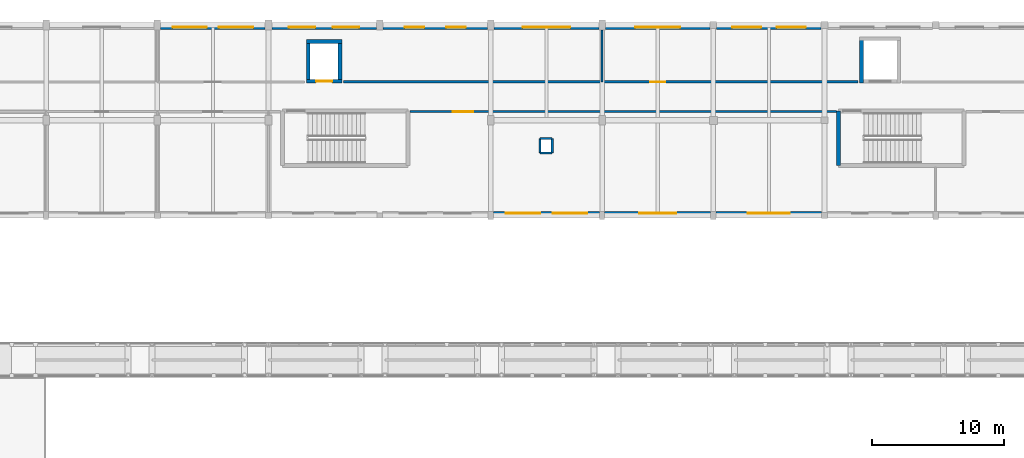
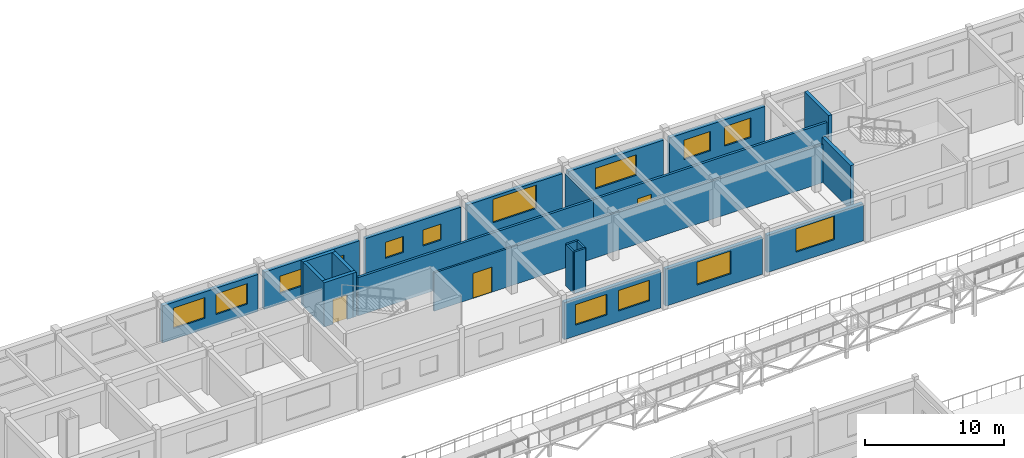
# One storey, part 31 of 41: 23 walls, 14 windows, 3 doors, 17 openings.
"""IFC4 building model written with IfcOpenShell, lengths in metres."""

from ifc_helpers import new_model, si_unit, direction, frame, frame_2d, origin, place, context, subcontext, project, spatial, rectangle, extrude, material, layer, layer_set, type_object, element, fill, save


model = new_model("IFC4")

# Units and contexts
model_context = context("Model", 3, precision=1e-05, world=origin(), true_north=direction((0.0, 1.0)))
body_context = subcontext(model_context, "Body", "Model", "MODEL_VIEW")
ifc_project = project(units=[si_unit("LENGTHUNIT", "METRE"), si_unit("AREAUNIT", "SQUARE_METRE"), si_unit("VOLUMEUNIT", "CUBIC_METRE"), si_unit("PLANEANGLEUNIT", "RADIAN"), si_unit("MASSUNIT", "GRAM", prefix="KILO")], contexts=[model_context])

# Site, building, storey
site_placement = place(None, origin())
site = spatial("IfcSite", under=ifc_project, at=site_placement, CompositionType="ELEMENT")
building_placement = place(site_placement, origin())
building = spatial("IfcBuilding", under=site, at=building_placement, Name="Malvenik Polytechnic", CompositionType="ELEMENT")
storey_placement = place(building_placement, frame((0.0, 0.0, 17.699951171875)))
storey = spatial("IfcBuildingStorey", under=building, at=storey_placement, Name="L04", CompositionType="ELEMENT", Elevation=17.699951171875)

# Wall, opening, door
ifc_material_1 = material(Name="Concrete C35/45", Category="concrete")
ifc_layer_1 = layer(ifc_material_1, 0.280029296875)
ifc_layer_set_1 = layer_set([ifc_layer_1], Name="Concrete C35/45")
wall_type_1 = type_object("IfcWallType", Name="ARC-CW-S280", PredefinedType="SHEAR", material=ifc_layer_set_1)
wall_1_placement = place(storey_placement, frame((55.93994140625, 125.35009765625, 0.0), z_axis=(0.0, 0.0, 1.0), x_axis=(-1.0, 0.0, 0.0)))
wall_1 = element("IfcWall", 1, at=wall_1_placement, inside=storey, type_object=wall_type_1, Name="Lift Shaft Shear Wall LS-02 L04 -Y", PredefinedType="SHEAR", context=body_context, shape_type="SweptSolid", body=[
    extrude(rectangle(XDim=2.679931640625, YDim=0.280029296875, at=frame_2d((1.33984375, 0.0))), origin(), (0.0, 0.0, 1.0), 3.880126953125),
])
opening_1_placement = place(wall_1_placement, frame((0.739990234375, 0.0, 0.0)))
opening_1 = element("IfcOpeningElement", 2, at=opening_1_placement, cuts=wall_1, Name="Opening LD-02", PredefinedType="OPENING", context=body_context, shape_type="SweptSolid", body=[
    extrude(rectangle(XDim=1.199951171875, YDim=2.14990234375, at=frame_2d((0.60009765625, 1.074951171875))), frame((0.0, 0.14990234375, 0.0), z_axis=(0.0, -1.0, 0.0), x_axis=(1.0, 0.0, 0.0)), (0.0, 0.0, 1.0), 0.300048828125),
])
ifc_material_2 = material(Name="Stainless steel fire-rated sliding lift landing door", Category="steel")
door_type_1 = type_object("IfcDoorType", Name="ARC-LDR-LD-02", OperationType="NOTDEFINED", PredefinedType="DOOR", material=ifc_material_2)
door_1_placement = place(opening_1_placement, origin())
door_1 = element("IfcDoor", 3, at=door_1_placement, inside=storey, type_object=door_type_1, Name="Lift Sliding Landing Door LS-02 L04", OperationType="DOUBLE_DOOR_SLIDING", OverallHeight=2.14990234375, OverallWidth=1.199951171875, PredefinedType="DOOR", context=body_context, shape_type="SweptSolid", body=[
    extrude(rectangle(XDim=1.199951171875, YDim=2.14990234375, at=frame_2d((0.60009765625, 1.074951171875))), frame((0.0, 0.02490234375, 0.0), z_axis=(0.0, -1.0, 0.0), x_axis=(1.0, 0.0, 0.0)), (0.0, 0.0, 1.0), 0.050048828125),
])
fill(opening_1, door_1)

# Walls
wall_2_placement = place(storey_placement, frame((53.260009765625, 128.35009765625, 0.0), z_axis=(0.0, 0.0, 1.0), x_axis=(1.0, 0.0, 0.0)))
element("IfcWall", 4, at=wall_2_placement, inside=storey, type_object=wall_type_1, Name="Lift Shaft Shear Wall LS-02 L04 +Y", PredefinedType="SHEAR", context=body_context, shape_type="SweptSolid", body=[
    extrude(rectangle(XDim=2.679931640625, YDim=0.280029296875, at=frame_2d((1.33984375, 0.0))), origin(), (0.0, 0.0, 1.0), 3.880126953125),
])
for number, where, z_axis, x_axis, name in (
    (5, (53.39990234375, 125.2099609375, 0.0), (0.0, 0.0, 1.0), (0.0, 1.0, 0.0), "Lift Shaft Shear Wall LS-02 L04 -X"),
    (6, (55.800048828125, 128.489990234375, 0.0), (0.0, 0.0, 1.0), (0.0, -1.0, 0.0), "Lift Shaft Shear Wall LS-02 L04 +X"),
):
    element("IfcWall", number, at=place(storey_placement, frame(where, z_axis=z_axis, x_axis=x_axis)), inside=storey, type_object=wall_type_1, Name=name, PredefinedType="SHEAR", context=body_context, shape_type="SweptSolid", body=[
        extrude(rectangle(XDim=3.280029296875, YDim=0.280029296875, at=frame_2d((1.64013671875, 0.0))), origin(), (0.0, 0.0, 1.0), 3.880126953125),
    ])
wall_3_placement = place(storey_placement, frame((95.199951171875, 125.2099609375, 0.0), z_axis=(0.0, 0.0, 1.0), x_axis=(0.0, 1.0, 0.0)))
element("IfcWall", 7, at=wall_3_placement, inside=storey, type_object=wall_type_1, Name="Lift Shaft Shear Wall LG-01 L04 -X", PredefinedType="SHEAR", context=body_context, shape_type="SweptSolid", body=[
    extrude(rectangle(XDim=3.47998046875, YDim=0.280029296875, at=frame_2d((1.739990234375, 0.0))), origin(), (0.0, 0.0, 1.0), 3.880126953125),
])
ifc_layer_2 = layer(ifc_material_1, 0.300048828125)
ifc_layer_set_2 = layer_set([ifc_layer_2], Name="Concrete C35/45")
wall_type_2 = type_object("IfcWallType", Name="ARC-CW-S300", PredefinedType="SHEAR", material=ifc_layer_set_2)
wall_4_placement = place(storey_placement, frame((93.449951171875, 119.0, 0.0), z_axis=(0.0, 0.0, 1.0), x_axis=(0.0, 1.0, 0.0)))
element("IfcWall", 8, at=wall_4_placement, inside=storey, type_object=wall_type_2, Name="Stair Core Shear Wall ST-03 L04 NEAR", PredefinedType="SHEAR", context=body_context, shape_type="SweptSolid", body=[
    extrude(rectangle(XDim=4.10009765625, YDim=0.300048828125, at=frame_2d((2.050048828125, 0.0))), origin(), (0.0, 0.0, 1.0), 3.880126953125),
])

# Wall, openings, windows
ifc_material_3 = material(Name="Brick masonry M15", Category="masonry")
ifc_layer_3 = layer(ifc_material_3, 0.31005859375)
ifc_layer_set_3 = layer_set([ifc_layer_3], Name="Brick masonry M15")
wall_type_3 = type_object("IfcWallType", Name="ARC-EW-310", PredefinedType="SOLIDWALL", material=ifc_layer_set_3)
wall_5_placement = place(storey_placement, frame((42.248046875, 129.429931640625, 0.0), z_axis=(0.0, 0.0, 1.0), x_axis=(1.0, 0.0, 0.0)))
wall_5 = element("IfcWall", 9, at=wall_5_placement, inside=storey, type_object=wall_type_3, Name="External Facade Wall EW-03 L04 #423", PredefinedType="SOLIDWALL", context=body_context, shape_type="SweptSolid", body=[
    extrude(rectangle(XDim=7.904052734375, YDim=0.31005859375, at=frame_2d((3.9521484375, 0.0))), origin(), (0.0, 0.0, 1.0), 3.25),
])
opening_2_placement = place(wall_5_placement, frame((0.9013671875, 0.0, 0.949951171875)))
opening_2 = element("IfcOpeningElement", 10, at=opening_2_placement, cuts=wall_5, Name="Opening W-11", PredefinedType="OPENING", context=body_context, shape_type="SweptSolid", body=[
    extrude(rectangle(XDim=2.60009765625, YDim=1.800048828125, at=frame_2d((1.300048828125, 0.89990234375))), frame((0.0, 0.1650390625, 0.0), z_axis=(0.0, -1.0, 0.0), x_axis=(1.0, 0.0, 0.0)), (0.0, 0.0, 1.0), 0.330078125),
])
opening_3_placement = place(wall_5_placement, frame((4.402587890625, 0.0, 0.949951171875)))
opening_3 = element("IfcOpeningElement", 11, at=opening_3_placement, cuts=wall_5, Name="Opening W-11", PredefinedType="OPENING", context=body_context, shape_type="SweptSolid", body=[
    extrude(rectangle(XDim=2.60009765625, YDim=1.800048828125, at=frame_2d((1.300048828125, 0.89990234375))), frame((0.0, 0.1650390625, 0.0), z_axis=(0.0, -1.0, 0.0), x_axis=(1.0, 0.0, 0.0)), (0.0, 0.0, 1.0), 0.330078125),
])
ifc_material_4 = material(Name="Thermally broken aluminium frame with low-E double glazing", Category="aluminium")
window_type_1 = type_object("IfcWindowType", Name="ARC-WIN-W-11", PartitioningType="SINGLE_PANEL", PredefinedType="WINDOW", material=ifc_material_4)
window_1_placement = place(opening_2_placement, origin())
window_1 = element("IfcWindow", 12, at=window_1_placement, inside=storey, type_object=window_type_1, Name="Punched Window W-11 L04 #433", OverallHeight=1.800048828125, OverallWidth=2.60009765625, PartitioningType="SINGLE_PANEL", PredefinedType="WINDOW", context=body_context, shape_type="SweptSolid", body=[
    extrude(rectangle(XDim=2.60009765625, YDim=1.800048828125, at=frame_2d((1.300048828125, 0.89990234375))), frame((0.0, 0.030029296875, 0.0), z_axis=(0.0, -1.0, 0.0), x_axis=(1.0, 0.0, 0.0)), (0.0, 0.0, 1.0), 0.06005859375),
])
fill(opening_2, window_1)
window_2_placement = place(opening_3_placement, origin())
window_2 = element("IfcWindow", 13, at=window_2_placement, inside=storey, type_object=window_type_1, Name="Punched Window W-11 L04 #434", OverallHeight=1.800048828125, OverallWidth=2.60009765625, PartitioningType="SINGLE_PANEL", PredefinedType="WINDOW", context=body_context, shape_type="SweptSolid", body=[
    extrude(rectangle(XDim=2.60009765625, YDim=1.800048828125, at=frame_2d((1.300048828125, 0.89990234375))), frame((0.0, 0.030029296875, 0.0), z_axis=(0.0, -1.0, 0.0), x_axis=(1.0, 0.0, 0.0)), (0.0, 0.0, 1.0), 0.06005859375),
])
fill(opening_3, window_2)

wall_6_placement = place(storey_placement, frame((50.64794921875, 129.429931640625, 0.0), z_axis=(0.0, 0.0, 1.0), x_axis=(1.0, 0.0, 0.0)))
wall_6 = element("IfcWall", 14, at=wall_6_placement, inside=storey, type_object=wall_type_3, Name="External Facade Wall EW-03 L04 #424", PredefinedType="SOLIDWALL", context=body_context, shape_type="SweptSolid", body=[
    extrude(rectangle(XDim=7.904052734375, YDim=0.31005859375, at=frame_2d((3.9521484375, 0.0))), origin(), (0.0, 0.0, 1.0), 3.25),
])
opening_4_placement = place(wall_6_placement, frame((1.30126953125, 0.0, 0.949951171875)))
opening_4 = element("IfcOpeningElement", 15, at=opening_4_placement, cuts=wall_6, Name="Opening W-13", PredefinedType="OPENING", context=body_context, shape_type="SweptSolid", body=[
    extrude(rectangle(XDim=2.0, YDim=1.5, at=frame_2d((1.0, 0.75))), frame((0.0, 0.1650390625, 0.0), z_axis=(0.0, -1.0, 0.0), x_axis=(1.0, 0.0, 0.0)), (0.0, 0.0, 1.0), 0.330078125),
])
opening_5_placement = place(wall_6_placement, frame((4.6025390625, 0.0, 0.949951171875)))
opening_5 = element("IfcOpeningElement", 16, at=opening_5_placement, cuts=wall_6, Name="Opening W-13", PredefinedType="OPENING", context=body_context, shape_type="SweptSolid", body=[
    extrude(rectangle(XDim=2.0, YDim=1.5, at=frame_2d((1.0, 0.75))), frame((0.0, 0.1650390625, 0.0), z_axis=(0.0, -1.0, 0.0), x_axis=(1.0, 0.0, 0.0)), (0.0, 0.0, 1.0), 0.330078125),
])
window_type_2 = type_object("IfcWindowType", Name="ARC-WIN-W-13", PartitioningType="SINGLE_PANEL", PredefinedType="WINDOW", material=ifc_material_4)
window_3_placement = place(opening_4_placement, origin())
window_3 = element("IfcWindow", 17, at=window_3_placement, inside=storey, type_object=window_type_2, Name="Punched Window W-13 L04 #435", OverallHeight=1.5, OverallWidth=2.0, PartitioningType="SINGLE_PANEL", PredefinedType="WINDOW", context=body_context, shape_type="SweptSolid", body=[
    extrude(rectangle(XDim=2.0, YDim=1.5, at=frame_2d((1.0, 0.75))), frame((0.0, 0.030029296875, 0.0), z_axis=(0.0, -1.0, 0.0), x_axis=(1.0, 0.0, 0.0)), (0.0, 0.0, 1.0), 0.06005859375),
])
fill(opening_4, window_3)
window_4_placement = place(opening_5_placement, origin())
window_4 = element("IfcWindow", 18, at=window_4_placement, inside=storey, type_object=window_type_2, Name="Punched Window W-13 L04 #436", OverallHeight=1.5, OverallWidth=2.0, PartitioningType="SINGLE_PANEL", PredefinedType="WINDOW", context=body_context, shape_type="SweptSolid", body=[
    extrude(rectangle(XDim=2.0, YDim=1.5, at=frame_2d((1.0, 0.75))), frame((0.0, 0.030029296875, 0.0), z_axis=(0.0, -1.0, 0.0), x_axis=(1.0, 0.0, 0.0)), (0.0, 0.0, 1.0), 0.06005859375),
])
fill(opening_5, window_4)

wall_7_placement = place(storey_placement, frame((59.048095703125, 129.429931640625, 0.0), z_axis=(0.0, 0.0, 1.0), x_axis=(1.0, 0.0, 0.0)))
wall_7 = element("IfcWall", 19, at=wall_7_placement, inside=storey, type_object=wall_type_3, Name="External Facade Wall EW-03 L04 #425", PredefinedType="SOLIDWALL", context=body_context, shape_type="SweptSolid", body=[
    extrude(rectangle(XDim=7.90380859375, YDim=0.31005859375, at=frame_2d((3.951904296875, 0.0))), origin(), (0.0, 0.0, 1.0), 3.25),
])
opening_6_placement = place(wall_7_placement, frame((1.634765625, 0.0, 0.949951171875)))
opening_6 = element("IfcOpeningElement", 20, at=opening_6_placement, cuts=wall_7, Name="Opening W-15", PredefinedType="OPENING", context=body_context, shape_type="SweptSolid", body=[
    extrude(rectangle(XDim=1.5, YDim=1.39990234375, at=frame_2d((0.75, 0.699951171875))), frame((0.0, 0.1650390625, 0.0), z_axis=(0.0, -1.0, 0.0), x_axis=(1.0, 0.0, 0.0)), (0.0, 0.0, 1.0), 0.330078125),
])
opening_7_placement = place(wall_7_placement, frame((4.769287109375, 0.0, 0.949951171875)))
opening_7 = element("IfcOpeningElement", 21, at=opening_7_placement, cuts=wall_7, Name="Opening W-15", PredefinedType="OPENING", context=body_context, shape_type="SweptSolid", body=[
    extrude(rectangle(XDim=1.5, YDim=1.39990234375, at=frame_2d((0.75, 0.699951171875))), frame((0.0, 0.1650390625, 0.0), z_axis=(0.0, -1.0, 0.0), x_axis=(1.0, 0.0, 0.0)), (0.0, 0.0, 1.0), 0.330078125),
])
window_type_3 = type_object("IfcWindowType", Name="ARC-WIN-W-15", PartitioningType="SINGLE_PANEL", PredefinedType="WINDOW", material=ifc_material_4)
window_5_placement = place(opening_6_placement, origin())
window_5 = element("IfcWindow", 22, at=window_5_placement, inside=storey, type_object=window_type_3, Name="Punched Window W-15 L04 #437", OverallHeight=1.39990234375, OverallWidth=1.5, PartitioningType="SINGLE_PANEL", PredefinedType="WINDOW", context=body_context, shape_type="SweptSolid", body=[
    extrude(rectangle(XDim=1.5, YDim=1.39990234375, at=frame_2d((0.75, 0.699951171875))), frame((0.0, 0.030029296875, 0.0), z_axis=(0.0, -1.0, 0.0), x_axis=(1.0, 0.0, 0.0)), (0.0, 0.0, 1.0), 0.06005859375),
])
fill(opening_6, window_5)
window_6_placement = place(opening_7_placement, origin())
window_6 = element("IfcWindow", 23, at=window_6_placement, inside=storey, type_object=window_type_3, Name="Punched Window W-15 L04 #438", OverallHeight=1.39990234375, OverallWidth=1.5, PartitioningType="SINGLE_PANEL", PredefinedType="WINDOW", context=body_context, shape_type="SweptSolid", body=[
    extrude(rectangle(XDim=1.5, YDim=1.39990234375, at=frame_2d((0.75, 0.699951171875))), frame((0.0, 0.030029296875, 0.0), z_axis=(0.0, -1.0, 0.0), x_axis=(1.0, 0.0, 0.0)), (0.0, 0.0, 1.0), 0.06005859375),
])
fill(opening_7, window_6)

# Wall, opening, window
wall_8_placement = place(storey_placement, frame((67.447998046875, 129.429931640625, 0.0), z_axis=(0.0, 0.0, 1.0), x_axis=(1.0, 0.0, 0.0)))
wall_8 = element("IfcWall", 24, at=wall_8_placement, inside=storey, type_object=wall_type_3, Name="External Facade Wall EW-03 L04 #426", PredefinedType="SOLIDWALL", context=body_context, shape_type="SweptSolid", body=[
    extrude(rectangle(XDim=7.904052734375, YDim=0.31005859375, at=frame_2d((3.9521484375, 0.0))), origin(), (0.0, 0.0, 1.0), 3.25),
])
opening_8_placement = place(wall_8_placement, frame((2.152099609375, 0.0, 0.949951171875)))
opening_8 = element("IfcOpeningElement", 25, at=opening_8_placement, cuts=wall_8, Name="Opening W-17", PredefinedType="OPENING", context=body_context, shape_type="SweptSolid", body=[
    extrude(rectangle(XDim=3.60009765625, YDim=2.050048828125, at=frame_2d((1.800048828125, 1.02490234375))), frame((0.0, 0.1650390625, 0.0), z_axis=(0.0, -1.0, 0.0), x_axis=(1.0, 0.0, 0.0)), (0.0, 0.0, 1.0), 0.330078125),
])
window_type_4 = type_object("IfcWindowType", Name="ARC-WIN-W-17", PartitioningType="SINGLE_PANEL", PredefinedType="WINDOW", material=ifc_material_4)
window_7_placement = place(opening_8_placement, origin())
window_7 = element("IfcWindow", 26, at=window_7_placement, inside=storey, type_object=window_type_4, Name="Punched Window W-17 L04 #439", OverallHeight=2.050048828125, OverallWidth=3.60009765625, PartitioningType="SINGLE_PANEL", PredefinedType="WINDOW", context=body_context, shape_type="SweptSolid", body=[
    extrude(rectangle(XDim=3.60009765625, YDim=2.050048828125, at=frame_2d((1.800048828125, 1.02490234375))), frame((0.0, 0.030029296875, 0.0), z_axis=(0.0, -1.0, 0.0), x_axis=(1.0, 0.0, 0.0)), (0.0, 0.0, 1.0), 0.06005859375),
])
fill(opening_8, window_7)

wall_9_placement = place(storey_placement, frame((75.847900390625, 129.429931640625, 0.0), z_axis=(0.0, 0.0, 1.0), x_axis=(1.0, 0.0, 0.0)))
wall_9 = element("IfcWall", 27, at=wall_9_placement, inside=storey, type_object=wall_type_3, Name="External Facade Wall EW-03 L04 #427", PredefinedType="SOLIDWALL", context=body_context, shape_type="SweptSolid", body=[
    extrude(rectangle(XDim=7.904052734375, YDim=0.31005859375, at=frame_2d((3.9521484375, 0.0))), origin(), (0.0, 0.0, 1.0), 3.25),
])
opening_9_placement = place(wall_9_placement, frame((2.251953125, 0.0, 0.949951171875)))
opening_9 = element("IfcOpeningElement", 28, at=opening_9_placement, cuts=wall_9, Name="Opening W-18", PredefinedType="OPENING", context=body_context, shape_type="SweptSolid", body=[
    extrude(rectangle(XDim=3.39990234375, YDim=1.800048828125, at=frame_2d((1.699951171875, 0.89990234375))), frame((0.0, 0.1650390625, 0.0), z_axis=(0.0, -1.0, 0.0), x_axis=(1.0, 0.0, 0.0)), (0.0, 0.0, 1.0), 0.330078125),
])
window_type_5 = type_object("IfcWindowType", Name="ARC-WIN-W-18", PartitioningType="SINGLE_PANEL", PredefinedType="WINDOW", material=ifc_material_4)
window_8_placement = place(opening_9_placement, origin())
window_8 = element("IfcWindow", 29, at=window_8_placement, inside=storey, type_object=window_type_5, Name="Punched Window W-18 L04 #440", OverallHeight=1.800048828125, OverallWidth=3.39990234375, PartitioningType="SINGLE_PANEL", PredefinedType="WINDOW", context=body_context, shape_type="SweptSolid", body=[
    extrude(rectangle(XDim=3.39990234375, YDim=1.800048828125, at=frame_2d((1.699951171875, 0.89990234375))), frame((0.0, 0.030029296875, 0.0), z_axis=(0.0, -1.0, 0.0), x_axis=(1.0, 0.0, 0.0)), (0.0, 0.0, 1.0), 0.06005859375),
])
fill(opening_9, window_8)

# Wall, openings, windows
wall_10_placement = place(storey_placement, frame((84.248046875, 129.429931640625, 0.0), z_axis=(0.0, 0.0, 1.0), x_axis=(1.0, 0.0, 0.0)))
wall_10 = element("IfcWall", 30, at=wall_10_placement, inside=storey, type_object=wall_type_3, Name="External Facade Wall EW-03 L04 #428", PredefinedType="SOLIDWALL", context=body_context, shape_type="SweptSolid", body=[
    extrude(rectangle(XDim=7.904052734375, YDim=0.31005859375, at=frame_2d((3.9521484375, 0.0))), origin(), (0.0, 0.0, 1.0), 3.25),
])
opening_10_placement = place(wall_10_placement, frame((1.16796875, 0.0, 0.949951171875)))
opening_10 = element("IfcOpeningElement", 31, at=opening_10_placement, cuts=wall_10, Name="Opening W-19", PredefinedType="OPENING", context=body_context, shape_type="SweptSolid", body=[
    extrude(rectangle(XDim=2.199951171875, YDim=1.699951171875, at=frame_2d((1.10009765625, 0.85009765625))), frame((0.0, 0.1650390625, 0.0), z_axis=(0.0, -1.0, 0.0), x_axis=(1.0, 0.0, 0.0)), (0.0, 0.0, 1.0), 0.330078125),
])
opening_11_placement = place(wall_10_placement, frame((4.535888671875, 0.0, 0.949951171875)))
opening_11 = element("IfcOpeningElement", 32, at=opening_11_placement, cuts=wall_10, Name="Opening W-19", PredefinedType="OPENING", context=body_context, shape_type="SweptSolid", body=[
    extrude(rectangle(XDim=2.199951171875, YDim=1.699951171875, at=frame_2d((1.10009765625, 0.85009765625))), frame((0.0, 0.1650390625, 0.0), z_axis=(0.0, -1.0, 0.0), x_axis=(1.0, 0.0, 0.0)), (0.0, 0.0, 1.0), 0.330078125),
])
window_type_6 = type_object("IfcWindowType", Name="ARC-WIN-W-19", PartitioningType="SINGLE_PANEL", PredefinedType="WINDOW", material=ifc_material_4)
window_9_placement = place(opening_10_placement, origin())
window_9 = element("IfcWindow", 33, at=window_9_placement, inside=storey, type_object=window_type_6, Name="Punched Window W-19 L04 #441", OverallHeight=1.699951171875, OverallWidth=2.199951171875, PartitioningType="SINGLE_PANEL", PredefinedType="WINDOW", context=body_context, shape_type="SweptSolid", body=[
    extrude(rectangle(XDim=2.199951171875, YDim=1.699951171875, at=frame_2d((1.10009765625, 0.85009765625))), frame((0.0, 0.030029296875, 0.0), z_axis=(0.0, -1.0, 0.0), x_axis=(1.0, 0.0, 0.0)), (0.0, 0.0, 1.0), 0.06005859375),
])
fill(opening_10, window_9)
window_10_placement = place(opening_11_placement, origin())
window_10 = element("IfcWindow", 34, at=window_10_placement, inside=storey, type_object=window_type_6, Name="Punched Window W-19 L04 #442", OverallHeight=1.699951171875, OverallWidth=2.199951171875, PartitioningType="SINGLE_PANEL", PredefinedType="WINDOW", context=body_context, shape_type="SweptSolid", body=[
    extrude(rectangle(XDim=2.199951171875, YDim=1.699951171875, at=frame_2d((1.10009765625, 0.85009765625))), frame((0.0, 0.030029296875, 0.0), z_axis=(0.0, -1.0, 0.0), x_axis=(1.0, 0.0, 0.0)), (0.0, 0.0, 1.0), 0.06005859375),
])
fill(opening_11, window_10)

# Wall, opening, window
wall_11_placement = place(storey_placement, frame((92.177001953125, 115.3701171875, 0.0), z_axis=(0.0, 0.0, 1.0), x_axis=(-1.0, 0.0, 0.0)))
wall_11 = element("IfcWall", 35, at=wall_11_placement, inside=storey, type_object=wall_type_3, Name="External Facade Wall EW-03 L04 #441", PredefinedType="SOLIDWALL", context=body_context, shape_type="SweptSolid", body=[
    extrude(rectangle(XDim=7.97900390625, YDim=0.31005859375, at=frame_2d((3.989501953125, 0.0))), origin(), (0.0, 0.0, 1.0), 3.25),
])
opening_12_placement = place(wall_11_placement, frame((2.389404296875, 0.0, 0.949951171875)))
opening_12 = element("IfcOpeningElement", 36, at=opening_12_placement, cuts=wall_11, Name="Opening W-09", PredefinedType="OPENING", context=body_context, shape_type="SweptSolid", body=[
    extrude(rectangle(XDim=3.199951171875, YDim=2.050048828125, at=frame_2d((1.60009765625, 1.02490234375))), frame((0.0, 0.1650390625, 0.0), z_axis=(0.0, -1.0, 0.0), x_axis=(1.0, 0.0, 0.0)), (0.0, 0.0, 1.0), 0.330078125),
])
window_type_7 = type_object("IfcWindowType", Name="ARC-WIN-W-09", PartitioningType="SINGLE_PANEL", PredefinedType="WINDOW", material=ifc_material_4)
window_11_placement = place(opening_12_placement, origin())
window_11 = element("IfcWindow", 37, at=window_11_placement, inside=storey, type_object=window_type_7, Name="Punched Window W-09 L04 #463", OverallHeight=2.050048828125, OverallWidth=3.199951171875, PartitioningType="SINGLE_PANEL", PredefinedType="WINDOW", context=body_context, shape_type="SweptSolid", body=[
    extrude(rectangle(XDim=3.199951171875, YDim=2.050048828125, at=frame_2d((1.60009765625, 1.02490234375))), frame((0.0, 0.030029296875, 0.0), z_axis=(0.0, -1.0, 0.0), x_axis=(1.0, 0.0, 0.0)), (0.0, 0.0, 1.0), 0.06005859375),
])
fill(opening_12, window_11)

wall_12_placement = place(storey_placement, frame((83.802001953125, 115.3701171875, 0.0), z_axis=(0.0, 0.0, 1.0), x_axis=(-1.0, 0.0, 0.0)))
wall_12 = element("IfcWall", 38, at=wall_12_placement, inside=storey, type_object=wall_type_3, Name="External Facade Wall EW-03 L04 #442", PredefinedType="SOLIDWALL", context=body_context, shape_type="SweptSolid", body=[
    extrude(rectangle(XDim=8.00390625, YDim=0.31005859375, at=frame_2d((4.001953125, 0.0))), origin(), (0.0, 0.0, 1.0), 3.25),
])
opening_13_placement = place(wall_12_placement, frame((2.60205078125, 0.0, 0.949951171875)))
opening_13 = element("IfcOpeningElement", 39, at=opening_13_placement, cuts=wall_12, Name="Opening W-10", PredefinedType="OPENING", context=body_context, shape_type="SweptSolid", body=[
    extrude(rectangle(XDim=2.800048828125, YDim=2.0, at=frame_2d((1.39990234375, 1.0))), frame((0.0, 0.1650390625, 0.0), z_axis=(0.0, -1.0, 0.0), x_axis=(1.0, 0.0, 0.0)), (0.0, 0.0, 1.0), 0.330078125),
])
window_type_8 = type_object("IfcWindowType", Name="ARC-WIN-W-10", PartitioningType="SINGLE_PANEL", PredefinedType="WINDOW", material=ifc_material_4)
window_12_placement = place(opening_13_placement, origin())
window_12 = element("IfcWindow", 40, at=window_12_placement, inside=storey, type_object=window_type_8, Name="Punched Window W-10 L04 #464", OverallHeight=2.0, OverallWidth=2.800048828125, PartitioningType="SINGLE_PANEL", PredefinedType="WINDOW", context=body_context, shape_type="SweptSolid", body=[
    extrude(rectangle(XDim=2.800048828125, YDim=2.0, at=frame_2d((1.39990234375, 1.0))), frame((0.0, 0.030029296875, 0.0), z_axis=(0.0, -1.0, 0.0), x_axis=(1.0, 0.0, 0.0)), (0.0, 0.0, 1.0), 0.06005859375),
])
fill(opening_13, window_12)

# Wall, openings, windows
wall_13_placement = place(storey_placement, frame((75.402099609375, 115.3701171875, 0.0), z_axis=(0.0, 0.0, 1.0), x_axis=(-1.0, 0.0, 0.0)))
wall_13 = element("IfcWall", 41, at=wall_13_placement, inside=storey, type_object=wall_type_3, Name="External Facade Wall EW-03 L04 #443", PredefinedType="SOLIDWALL", context=body_context, shape_type="SweptSolid", body=[
    extrude(rectangle(XDim=8.004150390625, YDim=0.31005859375, at=frame_2d((4.001953125, 0.0))), origin(), (0.0, 0.0, 1.0), 3.25),
])
opening_14_placement = place(wall_13_placement, frame((0.934814453125, 0.0, 0.949951171875)))
opening_14 = element("IfcOpeningElement", 42, at=opening_14_placement, cuts=wall_13, Name="Opening W-11", PredefinedType="OPENING", context=body_context, shape_type="SweptSolid", body=[
    extrude(rectangle(XDim=2.60009765625, YDim=1.800048828125, at=frame_2d((1.300048828125, 0.89990234375))), frame((0.0, 0.1650390625, 0.0), z_axis=(0.0, -1.0, 0.0), x_axis=(1.0, 0.0, 0.0)), (0.0, 0.0, 1.0), 0.330078125),
])
opening_15_placement = place(wall_13_placement, frame((4.469482421875, 0.0, 0.949951171875)))
opening_15 = element("IfcOpeningElement", 43, at=opening_15_placement, cuts=wall_13, Name="Opening W-11", PredefinedType="OPENING", context=body_context, shape_type="SweptSolid", body=[
    extrude(rectangle(XDim=2.60009765625, YDim=1.800048828125, at=frame_2d((1.300048828125, 0.89990234375))), frame((0.0, 0.1650390625, 0.0), z_axis=(0.0, -1.0, 0.0), x_axis=(1.0, 0.0, 0.0)), (0.0, 0.0, 1.0), 0.330078125),
])
window_13_placement = place(opening_14_placement, origin())
window_13 = element("IfcWindow", 44, at=window_13_placement, inside=storey, type_object=window_type_1, Name="Punched Window W-11 L04 #465", OverallHeight=1.800048828125, OverallWidth=2.60009765625, PartitioningType="SINGLE_PANEL", PredefinedType="WINDOW", context=body_context, shape_type="SweptSolid", body=[
    extrude(rectangle(XDim=2.60009765625, YDim=1.800048828125, at=frame_2d((1.300048828125, 0.89990234375))), frame((0.0, 0.030029296875, 0.0), z_axis=(0.0, -1.0, 0.0), x_axis=(1.0, 0.0, 0.0)), (0.0, 0.0, 1.0), 0.06005859375),
])
fill(opening_14, window_13)
window_14_placement = place(opening_15_placement, origin())
window_14 = element("IfcWindow", 45, at=window_14_placement, inside=storey, type_object=window_type_1, Name="Punched Window W-11 L04 #466", OverallHeight=1.800048828125, OverallWidth=2.60009765625, PartitioningType="SINGLE_PANEL", PredefinedType="WINDOW", context=body_context, shape_type="SweptSolid", body=[
    extrude(rectangle(XDim=2.60009765625, YDim=1.800048828125, at=frame_2d((1.300048828125, 0.89990234375))), frame((0.0, 0.030029296875, 0.0), z_axis=(0.0, -1.0, 0.0), x_axis=(1.0, 0.0, 0.0)), (0.0, 0.0, 1.0), 0.06005859375),
])
fill(opening_15, window_14)

# Wall
ifc_material_5 = material(Name="Calcium silicate fire-rated blockwork 200mm", Category="masonry")
ifc_layer_4 = layer(ifc_material_5, 0.199951171875)
ifc_layer_set_4 = layer_set([ifc_layer_4], Name="Calcium silicate fire-rated blockwork 200mm")
wall_type_4 = type_object("IfcWallType", Name="ARC-FW-200", PredefinedType="SOLIDWALL", material=ifc_layer_set_4)
wall_14_placement = place(storey_placement, frame((56.070068359375, 125.300048828125, 0.0), z_axis=(0.0, 0.0, 1.0), x_axis=(1.0, 0.0, 0.0)))
element("IfcWall", 46, at=wall_14_placement, inside=storey, type_object=wall_type_4, Name="Interior Partition FW-02 L04 #356", PredefinedType="SOLIDWALL", context=body_context, shape_type="SweptSolid", body=[
    extrude(rectangle(XDim=19.530029296875, YDim=0.199951171875, at=frame_2d((9.76513671875, 0.0))), origin(), (0.0, 0.0, 1.0), 3.35498046875),
])

# Wall, opening, door
wall_15_placement = place(storey_placement, frame((75.60009765625, 125.300048828125, 0.0), z_axis=(0.0, 0.0, 1.0), x_axis=(1.0, 0.0, 0.0)))
wall_15 = element("IfcWall", 47, at=wall_15_placement, inside=storey, type_object=wall_type_4, Name="Interior Partition FW-02 L04 #358", PredefinedType="SOLIDWALL", context=body_context, shape_type="SweptSolid", body=[
    extrude(rectangle(XDim=19.329833984375, YDim=0.199951171875, at=frame_2d((9.6650390625, 0.0))), origin(), (0.0, 0.0, 1.0), 3.35498046875),
])
opening_16_placement = place(wall_15_placement, frame((3.625, 0.0, 0.0)))
opening_16 = element("IfcOpeningElement", 48, at=opening_16_placement, cuts=wall_15, Name="Opening FD-01", PredefinedType="OPENING", context=body_context, shape_type="SweptSolid", body=[
    extrude(rectangle(XDim=1.14990234375, YDim=2.14990234375, at=frame_2d((0.574951171875, 1.074951171875))), frame((0.0, 0.10986328125, 0.0), z_axis=(0.0, -1.0, 0.0), x_axis=(1.0, 0.0, 0.0)), (0.0, 0.0, 1.0), 0.219970703125),
])
ifc_material_6 = material(Name="Fire-rated timber acoustic corridor door", Category="wood")
door_type_2 = type_object("IfcDoorType", Name="ARC-IDR-FD-01", OperationType="NOTDEFINED", PredefinedType="DOOR", material=ifc_material_6)
door_2_placement = place(opening_16_placement, origin())
door_2 = element("IfcDoor", 49, at=door_2_placement, inside=storey, type_object=door_type_2, Name="Interior Door FD-01 L04 #152", OperationType="SINGLE_SWING_LEFT", OverallHeight=2.14990234375, OverallWidth=1.14990234375, PredefinedType="DOOR", context=body_context, shape_type="SweptSolid", body=[
    extrude(rectangle(XDim=1.14990234375, YDim=2.14990234375, at=frame_2d((0.574951171875, 1.074951171875))), frame((0.0, 0.02490234375, 0.0), z_axis=(0.0, -1.0, 0.0), x_axis=(1.0, 0.0, 0.0)), (0.0, 0.0, 1.0), 0.050048828125),
])
fill(opening_16, door_2)

# Walls
ifc_material_7 = material(Name="Double-stud acoustic gypsum board partition 160mm", Category="gypsum")
ifc_layer_5 = layer(ifc_material_7, 0.159912109375)
ifc_layer_set_5 = layer_set([ifc_layer_5], Name="Double-stud acoustic gypsum board partition 160mm")
wall_type_5 = type_object("IfcWallType", Name="ARC-PW-160", PredefinedType="PARTITIONING", material=ifc_layer_set_5)
for number, where, z_axis, x_axis, name in (
    (50, (70.919921875, 119.919921875, 0.0), (0.0, 0.0, 1.0), (1.0, 0.0, 0.0), "Riser Shaft Enclosure L04 #47S"),
    (51, (71.830078125, 121.030029296875, 0.0), (0.0, 0.0, 1.0), (-1.0, 0.0, 0.0), "Riser Shaft Enclosure L04 #47N"),
):
    element("IfcWall", number, at=place(storey_placement, frame(where, z_axis=z_axis, x_axis=x_axis)), inside=storey, type_object=wall_type_5, Name=name, PredefinedType="PARTITIONING", context=body_context, shape_type="SweptSolid", body=[
        extrude(rectangle(XDim=0.91015625, YDim=0.159912109375, at=frame_2d((0.455078125, 0.0))), origin(), (0.0, 0.0, 1.0), 3.650146484375),
    ])
for number, where, z_axis, x_axis, name in (
    (52, (70.919921875, 121.030029296875, 0.0), (0.0, 0.0, 1.0), (0.0, -1.0, 0.0), "Riser Shaft Enclosure L04 #47W"),
    (53, (71.830078125, 119.919921875, 0.0), (0.0, 0.0, 1.0), (0.0, 1.0, 0.0), "Riser Shaft Enclosure L04 #47E"),
):
    element("IfcWall", number, at=place(storey_placement, frame(where, z_axis=z_axis, x_axis=x_axis)), inside=storey, type_object=wall_type_5, Name=name, PredefinedType="PARTITIONING", context=body_context, shape_type="SweptSolid", body=[
        extrude(rectangle(XDim=1.110107421875, YDim=0.159912109375, at=frame_2d((0.55517578125, 0.0))), origin(), (0.0, 0.0, 1.0), 3.650146484375),
    ])
wall_16_placement = place(storey_placement, frame((75.60009765625, 125.300048828125, 0.0), z_axis=(0.0, 0.0, 1.0), x_axis=(0.0, 1.0, 0.0)))
element("IfcWall", 54, at=wall_16_placement, inside=storey, type_object=wall_type_5, Name="Interior Partition PW-01I L04 #357", PredefinedType="PARTITIONING", context=body_context, shape_type="SweptSolid", body=[
    extrude(rectangle(XDim=3.905029296875, YDim=0.159912109375, at=frame_2d((1.95263671875, 0.0))), origin(), (0.0, 0.0, 1.0), 3.2451171875),
])

# Wall, opening, door
wall_17_placement = place(storey_placement, frame((93.31005859375, 123.050048828125, 0.0), z_axis=(0.0, 0.0, 1.0), x_axis=(-1.0, 0.0, 0.0)))
wall_17 = element("IfcWall", 55, at=wall_17_placement, inside=storey, type_object=wall_type_5, Name="Interior Partition PW-01I L04 #375", PredefinedType="PARTITIONING", context=body_context, shape_type="SweptSolid", body=[
    extrude(rectangle(XDim=32.219970703125, YDim=0.159912109375, at=frame_2d((16.10986328125, 0.0))), origin(), (0.0, 0.0, 1.0), 3.35498046875),
])
opening_17_placement = place(wall_17_placement, frame((27.43505859375, 0.0, 0.0)))
opening_17 = element("IfcOpeningElement", 56, at=opening_17_placement, cuts=wall_17, Name="Opening FD-09", PredefinedType="OPENING", context=body_context, shape_type="SweptSolid", body=[
    extrude(rectangle(XDim=1.550048828125, YDim=2.199951171875, at=frame_2d((0.77490234375, 1.10009765625))), frame((0.0, 0.08984375, 0.0), z_axis=(0.0, -1.0, 0.0), x_axis=(1.0, 0.0, 0.0)), (0.0, 0.0, 1.0), 0.179931640625),
])
ifc_material_8 = material(Name="Fire-rated studio corridor double door", Category="steel")
door_type_3 = type_object("IfcDoorType", Name="ARC-IDR-FD-09", OperationType="NOTDEFINED", PredefinedType="DOOR", material=ifc_material_8)
door_3_placement = place(opening_17_placement, origin())
door_3 = element("IfcDoor", 57, at=door_3_placement, inside=storey, type_object=door_type_3, Name="Interior Door FD-09 L04 #158", OperationType="DOUBLE_DOOR_SINGLE_SWING", OverallHeight=2.199951171875, OverallWidth=1.550048828125, PredefinedType="DOOR", context=body_context, shape_type="SweptSolid", body=[
    extrude(rectangle(XDim=1.550048828125, YDim=2.199951171875, at=frame_2d((0.77490234375, 1.10009765625))), frame((0.0, 0.02490234375, 0.0), z_axis=(0.0, -1.0, 0.0), x_axis=(1.0, 0.0, 0.0)), (0.0, 0.0, 1.0), 0.050048828125),
])
fill(opening_17, door_3)

save(model, "model.ifc")
